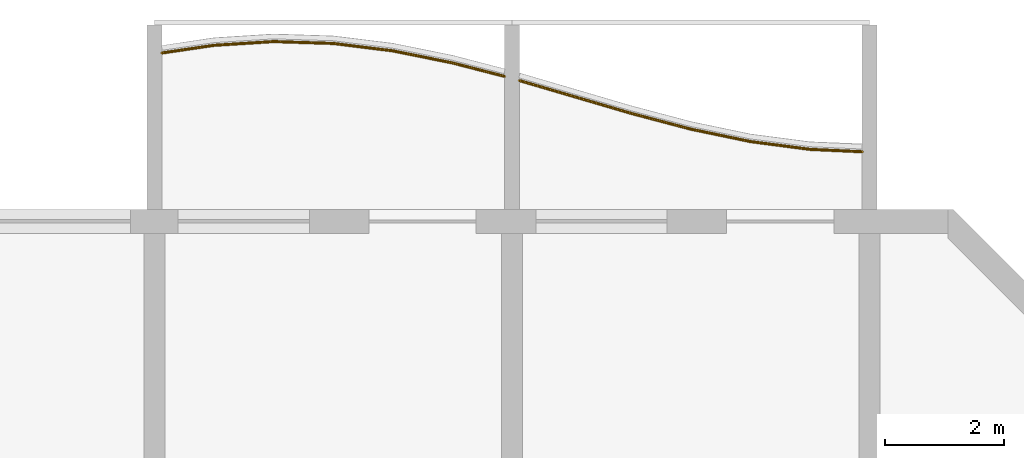
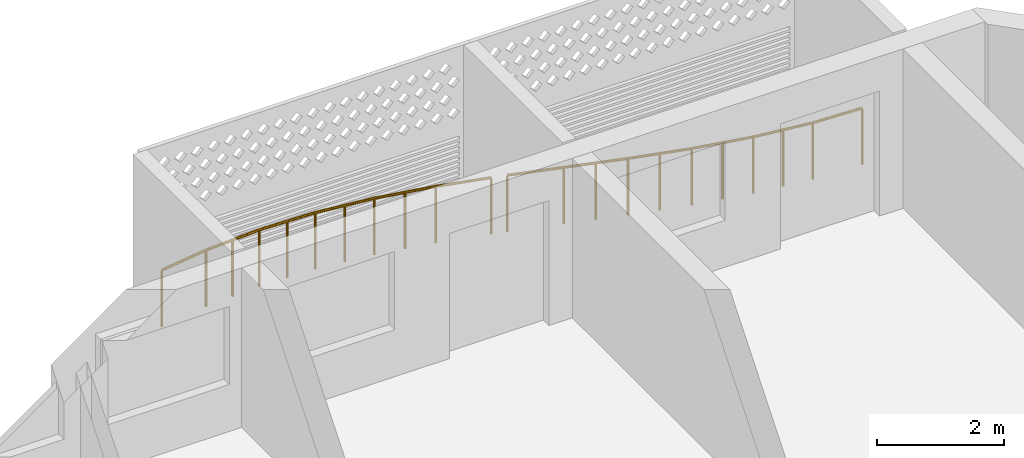
# One storey, part 26 of 27: 2 railings.
"""IFC4 building model written with IfcOpenShell, lengths in metres."""

from ifc_helpers import new_model, si_unit, direction, frame, origin, origin_2d, place, context, subcontext, project, spatial, circle, extrude, material, type_object, element, save


model = new_model("IFC4")

# Units and contexts
model_context = context("Model", 3, precision=1e-05, world=origin(), true_north=direction((0.0, 1.0)))
body_context = subcontext(model_context, "Body", "Model", "MODEL_VIEW")
ifc_project = project(units=[si_unit("LENGTHUNIT", "METRE"), si_unit("AREAUNIT", "SQUARE_METRE"), si_unit("VOLUMEUNIT", "CUBIC_METRE"), si_unit("PLANEANGLEUNIT", "RADIAN"), si_unit("MASSUNIT", "GRAM", prefix="KILO")], contexts=[model_context])

# Site, building, storey
site_placement = place(None, origin())
site = spatial("IfcSite", under=ifc_project, at=site_placement, CompositionType="ELEMENT")
building_placement = place(site_placement, origin())
building = spatial("IfcBuilding", under=site, at=building_placement, Name="Poui Terraces", CompositionType="ELEMENT")
storey_placement = place(building_placement, frame((0.0, 0.0, 76.199951171875)))
storey = spatial("IfcBuildingStorey", under=building, at=storey_placement, Name="L20", CompositionType="ELEMENT", Elevation=76.199951171875)

# Railings
ifc_material = material(Name="Painted steel fretwork", Category="steel")
railing_type = type_object("IfcRailingType", Name="BALCONY GUARD 1100", PredefinedType="GUARDRAIL", material=ifc_material)
railing_1_placement = place(storey_placement, frame((78.125, 46.427001953125, 0.0)))
element("IfcRailing", 1, at=railing_1_placement, inside=storey, type_object=railing_type, Name="BALCONY GUARD", PredefinedType="GUARDRAIL", context=body_context, shape_type="SweptSolid", body=[
    extrude(circle(Radius=0.02392578125, at=origin_2d()), frame((0.0, 0.0, 1.076171875), z_axis=(0.989401169276, 0.1452078725, 0.0), x_axis=(-0.1452078725, 0.989401169276, 0.0)), (0.0, 0.0, 1.0), 0.88427734375),
    extrude(circle(Radius=0.02392578125, at=origin_2d()), frame((0.875, 0.12841796875, 1.076171875), z_axis=(0.998006805525, 0.063106387361, 0.0), x_axis=(-0.063106387361, 0.998006805525, 0.0)), (0.0, 0.0, 1.0), 1.001953125),
    extrude(circle(Radius=0.02392578125, at=origin_2d()), frame((1.875, 0.191650390625, 1.076171875), z_axis=(0.999496720941, -0.031722308038, 0.0), x_axis=(0.031722308038, 0.999496720941, 0.0)), (0.0, 0.0, 1.0), 1.00048828125),
    extrude(circle(Radius=0.02392578125, at=origin_2d()), frame((2.875, 0.159912109375, 1.076171875), z_axis=(0.992426262271, -0.122841824944, 0.0), x_axis=(0.122841824944, 0.992426262271, 0.0)), (0.0, 0.0, 1.0), 1.007568359375),
    extrude(circle(Radius=0.02392578125, at=origin_2d()), frame((3.875, 0.0361328125, 1.076171875), z_axis=(0.980080566497, -0.198600310106, 0.0), x_axis=(0.198600310106, 0.980080566497, 0.0)), (0.0, 0.0, 1.0), 1.020263671875),
    extrude(circle(Radius=0.02392578125, at=origin_2d()), frame((4.875, -0.16650390625, 1.076171875), z_axis=(0.968270997587, -0.249902531464, 0.0), x_axis=(0.249902531464, 0.968270997587, 0.0)), (0.0, 0.0, 1.0), 0.903564453125),
    extrude(circle(Radius=0.02099609375, at=origin_2d()), origin(), (0.0, 0.0, 1.0), 1.052001953125),
    extrude(circle(Radius=0.02099609375, at=origin_2d()), frame((0.875, 0.12841796875, 0.0)), (0.0, 0.0, 1.0), 1.052001953125),
    extrude(circle(Radius=0.02099609375, at=origin_2d()), frame((1.375, 0.16015625, 0.0)), (0.0, 0.0, 1.0), 1.052001953125),
    extrude(circle(Radius=0.02099609375, at=origin_2d()), frame((1.875, 0.191650390625, 0.0)), (0.0, 0.0, 1.0), 1.052001953125),
    extrude(circle(Radius=0.02099609375, at=origin_2d()), frame((2.375, 0.17578125, 0.0)), (0.0, 0.0, 1.0), 1.052001953125),
    extrude(circle(Radius=0.02099609375, at=origin_2d()), frame((2.875, 0.159912109375, 0.0)), (0.0, 0.0, 1.0), 1.052001953125),
    extrude(circle(Radius=0.02099609375, at=origin_2d()), frame((3.375, 0.09814453125, 0.0)), (0.0, 0.0, 1.0), 1.052001953125),
    extrude(circle(Radius=0.02099609375, at=origin_2d()), frame((3.875, 0.0361328125, 0.0)), (0.0, 0.0, 1.0), 1.052001953125),
    extrude(circle(Radius=0.02099609375, at=origin_2d()), frame((4.375, -0.065185546875, 0.0)), (0.0, 0.0, 1.0), 1.052001953125),
    extrude(circle(Radius=0.02099609375, at=origin_2d()), frame((4.875, -0.16650390625, 0.0)), (0.0, 0.0, 1.0), 1.052001953125),
    extrude(circle(Radius=0.02099609375, at=origin_2d()), frame((5.75, -0.392333984375, 0.0)), (0.0, 0.0, 1.0), 1.052001953125),
])
railing_2_placement = place(storey_placement, frame((84.125, 45.96435546875, 0.0)))
element("IfcRailing", 2, at=railing_2_placement, inside=storey, type_object=railing_type, Name="BALCONY GUARD", PredefinedType="GUARDRAIL", context=body_context, shape_type="SweptSolid", body=[
    extrude(circle(Radius=0.02392578125, at=origin_2d()), frame((0.0, 0.0, 1.076171875), z_axis=(0.959518831385, -0.281644478409, 0.0), x_axis=(0.281644478409, 0.959518831385, 0.0)), (0.0, 0.0, 1.0), 0.911865234375),
    extrude(circle(Radius=0.02392578125, at=origin_2d()), frame((0.875, -0.2568359375, 1.076171875), z_axis=(0.959473602222, -0.281798521356, 0.0), x_axis=(0.281798521356, 0.959473602222, 0.0)), (0.0, 0.0, 1.0), 1.042236328125),
    extrude(circle(Radius=0.02392578125, at=origin_2d()), frame((1.875, -0.550537109375, 1.076171875), z_axis=(0.966777314923, -0.255620076187, 0.0), x_axis=(0.255620076187, 0.966777314923, 0.0)), (0.0, 0.0, 1.0), 1.034423828125),
    extrude(circle(Radius=0.02392578125, at=origin_2d()), frame((2.875, -0.81494140625, 1.076171875), z_axis=(0.978948594034, -0.204106957838, 0.0), x_axis=(0.204106957838, 0.978948594034, 0.0)), (0.0, 0.0, 1.0), 1.021484375),
    extrude(circle(Radius=0.02392578125, at=origin_2d()), frame((3.875, -1.0234375, 1.076171875), z_axis=(0.991546329967, -0.129753133023, 0.0), x_axis=(0.129753133023, 0.991546329967, 0.0)), (0.0, 0.0, 1.0), 1.008544921875),
    extrude(circle(Radius=0.02392578125, at=origin_2d()), frame((4.875, -1.154296875, 1.076171875), z_axis=(0.998954701489, -0.045711096832, 0.0), x_axis=(0.045711096832, 0.998954701489, 0.0)), (0.0, 0.0, 1.0), 0.8759765625),
    extrude(circle(Radius=0.02099609375, at=origin_2d()), origin(), (0.0, 0.0, 1.0), 1.052001953125),
    extrude(circle(Radius=0.02099609375, at=origin_2d()), frame((0.875, -0.2568359375, 0.0)), (0.0, 0.0, 1.0), 1.052001953125),
    extrude(circle(Radius=0.02099609375, at=origin_2d()), frame((1.375, -0.40380859375, 0.0)), (0.0, 0.0, 1.0), 1.052001953125),
    extrude(circle(Radius=0.02099609375, at=origin_2d()), frame((1.875, -0.550537109375, 0.0)), (0.0, 0.0, 1.0), 1.052001953125),
    extrude(circle(Radius=0.02099609375, at=origin_2d()), frame((2.375, -0.6826171875, 0.0)), (0.0, 0.0, 1.0), 1.052001953125),
    extrude(circle(Radius=0.02099609375, at=origin_2d()), frame((2.875, -0.81494140625, 0.0)), (0.0, 0.0, 1.0), 1.052001953125),
    extrude(circle(Radius=0.02099609375, at=origin_2d()), frame((3.375, -0.919189453125, 0.0)), (0.0, 0.0, 1.0), 1.052001953125),
    extrude(circle(Radius=0.02099609375, at=origin_2d()), frame((3.875, -1.0234375, 0.0)), (0.0, 0.0, 1.0), 1.052001953125),
    extrude(circle(Radius=0.02099609375, at=origin_2d()), frame((4.375, -1.0888671875, 0.0)), (0.0, 0.0, 1.0), 1.052001953125),
    extrude(circle(Radius=0.02099609375, at=origin_2d()), frame((4.875, -1.154296875, 0.0)), (0.0, 0.0, 1.0), 1.052001953125),
    extrude(circle(Radius=0.02099609375, at=origin_2d()), frame((5.75, -1.1943359375, 0.0)), (0.0, 0.0, 1.0), 1.052001953125),
])

save(model, "model.ifc")
